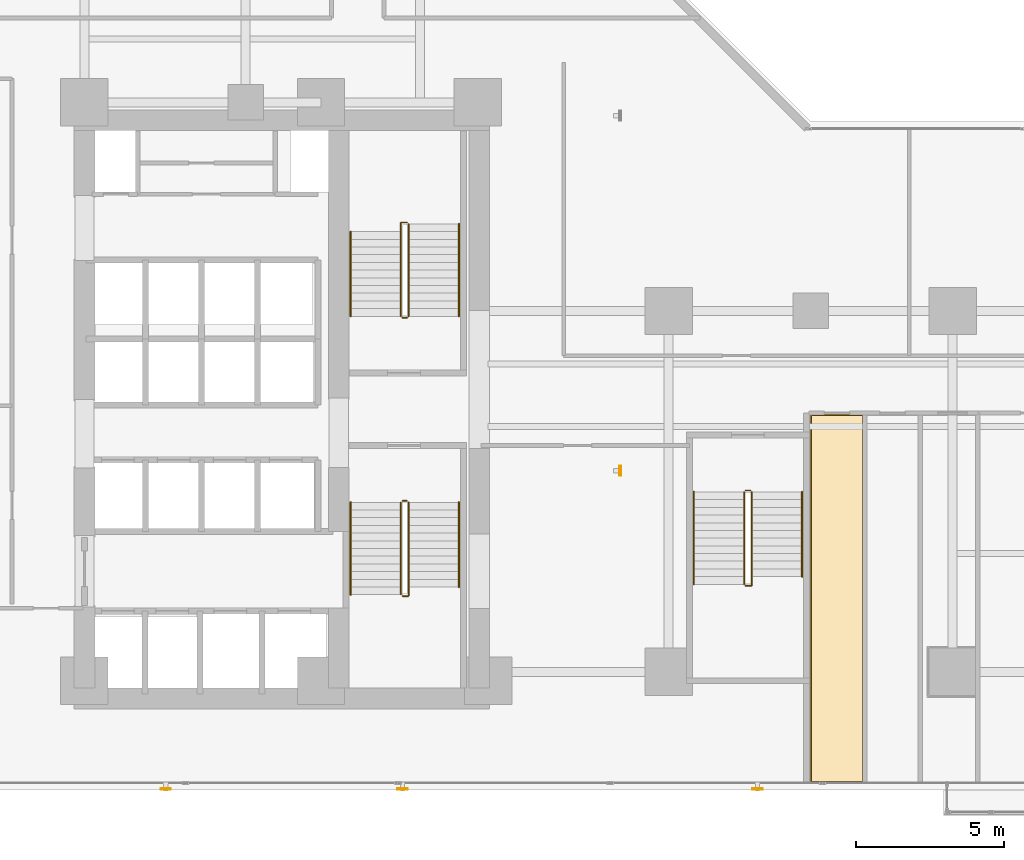
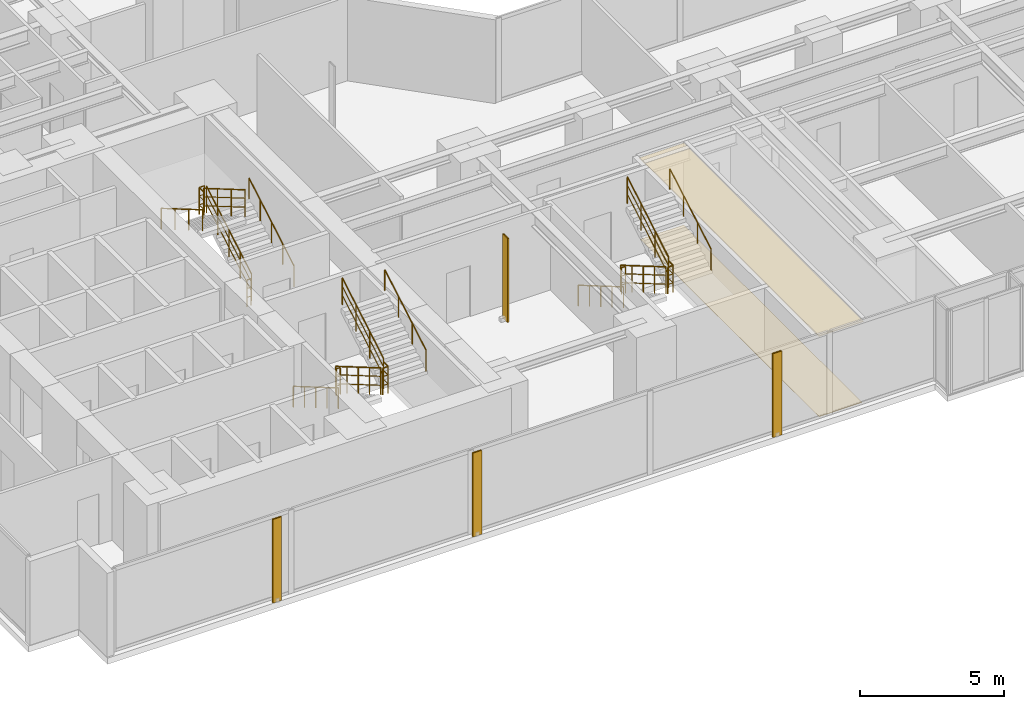
# One storey, part 26 of 28: 18 railings, 4 shading devices, 2 coverings.
"""IFC4 building model written with IfcOpenShell, lengths in metres."""

import ifcopenshell
import ifcopenshell.guid

model = None  # the IFC model being written
_history = None  # IfcOwnerHistory: only IFC2X3 demands one
_inside = {}  # id of a spatial element -> (the spatial element, [elements in it])
_under = {}  # id of a project, library or spatial element -> (it, [spatial elements below it])
_declared = {}  # id of a project -> (the project, [libraries it declares])
_typed = {}  # id of a type object -> (the type object, [elements of that type])
_made_of = {}  # id of a material, layer set ... -> (it, [elements and type objects made of it])


def new_model(schema):
    """Start an empty IFC model of exactly this schema.

    Asked for "IFC4X3", IfcOpenShell would pick the latest addendum, in which some entities
    have other attributes; the version numbers below select the first issue.
    IFC2X3 requires an IfcOwnerHistory on every rooted entity: one is made here for all.
    """
    global model, _history
    if schema == "IFC4X3":
        model = ifcopenshell.file(schema_version=(4, 3, 0, 0))
    else:
        model = ifcopenshell.file(schema=schema)
    _inside.clear()
    _under.clear()
    _declared.clear()
    _typed.clear()
    _made_of.clear()
    _history = None
    if model.schema == "IFC2X3":
        org = make("IfcOrganization", Name="unknown")
        user = make(
            "IfcPersonAndOrganization",
            ThePerson=make("IfcPerson", FamilyName="unknown"),
            TheOrganization=org,
        )
        app = make(
            "IfcApplication",
            ApplicationDeveloper=org,
            Version="unknown",
            ApplicationFullName="unknown",
            ApplicationIdentifier="unknown",
        )
        _history = make(
            "IfcOwnerHistory",
            OwningUser=user,
            OwningApplication=app,
            ChangeAction="ADDED",
            CreationDate=0,
        )
    return model


def make(cls, **values):
    """One entity of the class cls with the attributes given. An attribute that is None is left unset."""
    return model.create_entity(
        cls, **{name: value for name, value in values.items() if value is not None}
    )


def rooted(cls, **values):
    """An entity with a GlobalId (a new one), such as an element, a storey or a relation."""
    return make(cls, GlobalId=ifcopenshell.guid.new(), OwnerHistory=_history, **values)


def si_unit(unit_type, name, prefix=None):
    """IfcSIUnit, for example si_unit("LENGTHUNIT", "METRE", prefix="MILLI")."""
    return make("IfcSIUnit", UnitType=unit_type, Prefix=prefix, Name=name)


def assignment(units):
    """IfcUnitAssignment: the units of a project."""
    return None if units is None else make("IfcUnitAssignment", Units=units)


def point(xyz):
    """IfcCartesianPoint."""
    return None if xyz is None else make("IfcCartesianPoint", Coordinates=xyz)


def direction(xyz):
    """IfcDirection."""
    return None if xyz is None else make("IfcDirection", DirectionRatios=xyz)


def frame(location, z_axis=None, x_axis=None):
    """IfcAxis2Placement3D, a coordinate frame: its origin and axes. An axis left out is left unset."""
    return make(
        "IfcAxis2Placement3D",
        Location=point(location),
        Axis=direction(z_axis),
        RefDirection=direction(x_axis),
    )


def frame_2d(location, x_axis=None):
    """IfcAxis2Placement2D, a coordinate frame in the plane: its origin and x axis."""
    return make(
        "IfcAxis2Placement2D", Location=point(location), RefDirection=direction(x_axis)
    )


def origin():
    """The frame at (0, 0, 0) with its axes left unset."""
    return frame((0.0, 0.0, 0.0))


def origin_2d():
    """The frame at (0, 0) in the plane with its x axis left unset."""
    return frame_2d((0.0, 0.0))


def place(relative_to, where):
    """IfcLocalPlacement: puts the frame where relative to a parent placement (None: the world)."""
    return make(
        "IfcLocalPlacement", PlacementRelTo=relative_to, RelativePlacement=where
    )


def context(
    kind, dimensions, precision=None, world=None, true_north=None, identifier=None
):
    """IfcGeometricRepresentationContext, for example the 3D "Model" context."""
    return make(
        "IfcGeometricRepresentationContext",
        ContextIdentifier=identifier,
        ContextType=kind,
        CoordinateSpaceDimension=dimensions,
        Precision=precision,
        WorldCoordinateSystem=world,
        TrueNorth=true_north,
    )


def subcontext(parent, identifier, kind, view, scale=None):
    """IfcGeometricRepresentationSubContext, for example "Body" below "Model"."""
    return make(
        "IfcGeometricRepresentationSubContext",
        ContextIdentifier=identifier,
        ContextType=kind,
        ParentContext=parent,
        TargetScale=scale,
        TargetView=view,
    )


def project(units=None, contexts=None):
    """IfcProject with its units and contexts."""
    return rooted(
        "IfcProject",
        Name="project",
        RepresentationContexts=contexts,
        UnitsInContext=assignment(units),
    )


def spatial(cls, under=None, at=None, **own):
    """A site, building, storey or space (cls), placed at a placement, below another one or the project."""
    s = rooted(cls, ObjectPlacement=at, **own)
    if under is not None:
        _under.setdefault(under.id(), (under, []))[1].append(s)
    return s


def polyline(points):
    """IfcPolyline through the points."""
    return make("IfcPolyline", Points=[point(p) for p in points])


def profile(cls, at=None, kind="AREA", **sizes):
    """A parametric profile (cls). Its sizes go by their IFC names, for example OverallWidth=200.0."""
    return make(cls, ProfileType=kind, Position=at, **sizes)


def hollow_rectangle(**sizes):
    """IfcRectangleHollowProfileDef."""
    return profile("IfcRectangleHollowProfileDef", **sizes)


def circle(**sizes):
    """IfcCircleProfileDef."""
    return profile("IfcCircleProfileDef", **sizes)


def outline(outer, holes=None, kind="AREA"):
    """IfcArbitraryClosedProfileDef: a profile drawn as a closed curve; with holes, ...WithVoids."""
    if holes is None:
        return make("IfcArbitraryClosedProfileDef", ProfileType=kind, OuterCurve=outer)
    return make(
        "IfcArbitraryProfileDefWithVoids",
        ProfileType=kind,
        OuterCurve=outer,
        InnerCurves=holes,
    )


def extrude(swept, where, along, depth):
    """IfcExtrudedAreaSolid: the profile swept, set in the frame where, extruded along a direction by depth."""
    return make(
        "IfcExtrudedAreaSolid",
        SweptArea=swept,
        Position=where,
        ExtrudedDirection=direction(along),
        Depth=depth,
    )


def shape(context_of_items, identifier, shape_type, items):
    """IfcShapeRepresentation: the items that make up one representation, for example the "Body"."""
    return make(
        "IfcShapeRepresentation",
        ContextOfItems=context_of_items,
        RepresentationIdentifier=identifier,
        RepresentationType=shape_type,
        Items=items,
    )


def material(Name=None, Category=None):
    """IfcMaterial."""
    return make("IfcMaterial", Name=Name, Category=Category)


def layer(
    of_material, thickness, ventilated=None, Name=None, Category=None, Priority=None
):
    """IfcMaterialLayer: one layer of a wall or slab, of a material (None: an air gap)."""
    return make(
        "IfcMaterialLayer",
        Material=of_material,
        LayerThickness=thickness,
        IsVentilated=ventilated,
        Name=Name,
        Category=Category,
        Priority=Priority,
    )


def layer_set(layers, Name=None):
    """IfcMaterialLayerSet."""
    return make("IfcMaterialLayerSet", MaterialLayers=layers, LayerSetName=Name)


def material_profile(
    of_material, cross_section, Name=None, Category=None, Priority=None
):
    """IfcMaterialProfile: a cross section and its material."""
    return make(
        "IfcMaterialProfile",
        Name=Name,
        Material=of_material,
        Profile=cross_section,
        Priority=Priority,
        Category=Category,
    )


def profile_set(profiles, Name=None, composite=None):
    """IfcMaterialProfileSet."""
    return make(
        "IfcMaterialProfileSet",
        Name=Name,
        MaterialProfiles=profiles,
        CompositeProfile=composite,
    )


def made_of(thing, what):
    """Note that an element or type object is made of a material, layer set ...; save() writes the relation."""
    if what is not None:
        _made_of.setdefault(what.id(), (what, []))[1].append(thing)
    return thing


def type_object(cls, material=None, **own):
    """A type object (cls), such as IfcWallType, which elements share."""
    return made_of(rooted(cls, **own), material)


def element(
    cls,
    number,
    at=None,
    inside=None,
    cuts=None,
    type_object=None,
    material=None,
    context=None,
    identifier="Body",
    shape_type=None,
    held_by="IfcProductDefinitionShape",
    body=None,
    shapes=None,
    **own,
):
    """One element of the class cls, such as IfcWall. Its Tag is "e" and its number.

    at: its placement. inside: the storey or other place that contains it. cuts: it is an
    opening in that element (IfcRelVoidsElement). A single representation is given by context,
    identifier, shape_type and body (its items); several are given by shapes. held_by: the class
    of the entity that holds the representations. save() writes the other relations.
    """
    e = rooted(cls, Tag="e%d" % number, ObjectPlacement=at, **own)
    if body is not None:
        shapes = [shape(context, identifier, shape_type, body)]
    if shapes is not None:
        e.Representation = make(held_by, Representations=shapes)
    if inside is not None:
        _inside.setdefault(inside.id(), (inside, []))[1].append(e)
    if cuts is not None:
        rooted(
            "IfcRelVoidsElement", RelatingBuildingElement=cuts, RelatedOpeningElement=e
        )
    if type_object is not None:
        _typed.setdefault(type_object.id(), (type_object, []))[1].append(e)
    return made_of(e, material)


def aggregate(whole, parts):
    """IfcRelAggregates: a whole, such as a stair, and the parts it consists of."""
    return rooted("IfcRelAggregates", RelatingObject=whole, RelatedObjects=parts)


def save(model, path):
    """Write the relations noted so far, then the file.

    IfcRelAggregates (storeys below a building ...), IfcRelContainedInSpatialStructure (elements
    in a storey), IfcRelDefinesByType, IfcRelAssociatesMaterial and IfcRelDeclares: one each for
    every whole, place, type object, material and project.
    """
    for whole, parts in _under.values():
        aggregate(whole, parts)
    for where, things in _inside.values():
        rooted(
            "IfcRelContainedInSpatialStructure",
            RelatedElements=things,
            RelatingStructure=where,
        )
    for kind, things in _typed.values():
        rooted("IfcRelDefinesByType", RelatedObjects=things, RelatingType=kind)
    for what, things in _made_of.values():
        rooted("IfcRelAssociatesMaterial", RelatedObjects=things, RelatingMaterial=what)
    for by, libraries in _declared.values():
        rooted("IfcRelDeclares", RelatingContext=by, RelatedDefinitions=libraries)
    model.write(path)


model = new_model("IFC4")

# Units and contexts
model_context = context("Model", 3, precision=1e-05, world=origin(), true_north=direction((0.0, 1.0)))
body_context = subcontext(model_context, "Body", "Model", "MODEL_VIEW")
ifc_project = project(units=[si_unit("LENGTHUNIT", "METRE"), si_unit("AREAUNIT", "SQUARE_METRE"), si_unit("VOLUMEUNIT", "CUBIC_METRE"), si_unit("PLANEANGLEUNIT", "RADIAN"), si_unit("MASSUNIT", "GRAM", prefix="KILO")], contexts=[model_context])

# Site, building, storey
site_placement = place(None, origin())
site = spatial("IfcSite", under=ifc_project, at=site_placement, CompositionType="ELEMENT")
building_placement = place(site_placement, origin())
building = spatial("IfcBuilding", under=site, at=building_placement, Name="Kolvaren Waterfront Exchange", CompositionType="ELEMENT")
storey_placement = place(building_placement, frame((0.0, 0.0, 56.199951171875)))
storey = spatial("IfcBuildingStorey", under=building, at=storey_placement, Name="L14", CompositionType="ELEMENT", Elevation=56.199951171875)

# Covering
ifc_material_1 = material(Name="Mineral fibre acoustic ceiling tile")
ifc_layer_1 = layer(ifc_material_1, 0.02490234375, Name="Mineral fibre acoustic ceiling tile")
ifc_layer_set_1 = layer_set([ifc_layer_1], Name="Mineral fibre acoustic ceiling tile")
covering_type_1 = type_object("IfcCoveringType", Name="ARC-CEIL-ACOUSTIC-25", PredefinedType="CEILING", material=ifc_layer_set_1)
covering_1_placement = place(storey_placement, frame((0.0, 0.0, 3.425048828125)))
element("IfcCovering", 1, at=covering_1_placement, inside=storey, type_object=covering_type_1, Name="L14 acoustic suspended ceiling 1", PredefinedType="CEILING", context=body_context, shape_type="SweptSolid", body=[
    extrude(outline(polyline([(33.784912109375, 1.465087890625), (33.784912109375, 13.89501953125), (31.9951171875, 13.89501953125), (31.9951171875, 13.35009765625), (32.0, 13.35009765625), (32.0, 4.800048828125), (31.9951171875, 4.800048828125), (31.9951171875, 1.465087890625), (33.784912109375, 1.465087890625)])), origin(), (0.0, 0.0, 1.0), 0.02490234375),
])

# Shading devices
ifc_material_2 = material(Name="Anodised bronze aluminium 6063-T6", Category="aluminium")
ifc_material_profile = material_profile(ifc_material_2, hollow_rectangle(XDim=0.06005859375, YDim=0.35009765625, WallThickness=0.0048828125, at=origin_2d()), Name="BRZ-FIN-350x60x5")
ifc_profile_set = profile_set([ifc_material_profile], Name="Anodised bronze aluminium 6063-T6")
shading_device_type = type_object("IfcShadingDeviceType", Name="ARC-FIN-350", PredefinedType="USERDEFINED", material=ifc_profile_set)
for number, where, z_axis, x_axis, name in (
    (2, (10.199951171875, 1.239990234375, 0.0), (0.0, 0.0, 1.0), (0.0, -1.0, 0.0), "L14 anodised bronze solar shading fin FIN-L14-S1"),
    (3, (18.199951171875, 1.239990234375, 0.0), (0.0, 0.0, 1.0), (0.0, -1.0, 0.0), "L14 anodised bronze solar shading fin FIN-L14-S2"),
    (4, (30.199951171875, 1.239990234375, 0.0), (0.0, 0.0, 1.0), (0.0, -1.0, 0.0), "L14 anodised bronze solar shading fin FIN-L14-S3"),
    (5, (25.56005859375, 12.0, 0.0), (0.0, 0.0, 1.0), (1.0, 0.0, 0.0), "L14 anodised bronze solar shading fin FIN-L14-E1"),
):
    element("IfcShadingDevice", number, at=place(storey_placement, frame(where, z_axis=z_axis, x_axis=x_axis)), inside=storey, type_object=shading_device_type, Name=name, ObjectType="SOLAR FIN", PredefinedType="USERDEFINED", context=body_context, shape_type="SweptSolid", body=[
        extrude(hollow_rectangle(XDim=0.06005859375, YDim=0.35009765625, WallThickness=0.0048828125, at=origin_2d()), origin(), (0.0, 0.0, 1.0), 3.5400390625),
    ])

# Covering
ifc_material_3 = material(Name="Slip-resistant porcelain tile")
ifc_layer_2 = layer(ifc_material_3, 0.014892578125, Name="Slip-resistant porcelain tile")
ifc_layer_set_2 = layer_set([ifc_layer_2], Name="Slip-resistant porcelain tile")
covering_type_2 = type_object("IfcCoveringType", Name="ARC-FLR-PORC-15", PredefinedType="FLOORING", material=ifc_layer_set_2)
covering_2_placement = place(storey_placement, origin())
element("IfcCovering", 6, at=covering_2_placement, inside=storey, type_object=covering_type_2, Name="L14 floor finish 1", PredefinedType="FLOORING", context=body_context, shape_type="SweptSolid", body=[
    extrude(outline(polyline([(32.030029296875, 13.860107421875), (32.030029296875, 1.5), (33.75, 1.5), (33.75, 13.860107421875), (32.030029296875, 13.860107421875)])), origin(), (0.0, 0.0, 1.0), 0.01513671875),
])

# Railings
ifc_material_4 = material(Name="Stainless steel 316", Category="steel")
railing_type_1 = type_object("IfcRailingType", Name="ARC-GUARD-STAIR", PredefinedType="GUARDRAIL", material=ifc_material_4)
railing_1_placement = place(storey_placement, frame((18.14990234375, 10.929931640625, 0.152099609375)))
element("IfcRailing", 7, at=railing_1_placement, inside=storey, type_object=railing_type_1, Name="L14 ST1 stair guard 1", PredefinedType="GUARDRAIL", context=body_context, shape_type="SweptSolid", body=[
    extrude(circle(Radius=0.02392578125, at=origin_2d()), frame((0.0, 0.0, 1.1259765625), z_axis=(0.0, -0.86329090724, 0.504706656858), x_axis=(1.0, 0.0, 0.0)), (0.0, 0.0, 1.0), 3.614013671875),
    extrude(circle(Radius=0.01611328125, at=origin_2d()), frame((0.0, 0.0, 0.390869140625), z_axis=(0.0, -0.86329090724, 0.504706656858), x_axis=(1.0, 0.0, 0.0)), (0.0, 0.0, 1.0), 3.614013671875),
    extrude(circle(Radius=0.01611328125, at=origin_2d()), frame((0.0, 0.0, 0.7705078125), z_axis=(0.0, -0.86329090724, 0.504706656858), x_axis=(1.0, 0.0, 0.0)), (0.0, 0.0, 1.0), 3.614013671875),
    extrude(circle(Radius=0.02099609375, at=origin_2d()), origin(), (0.0, 0.0, 1.0), 1.101806640625),
    extrude(circle(Radius=0.02099609375, at=origin_2d()), frame((0.0, -0.780029296875, 0.4560546875)), (0.0, 0.0, 1.0), 1.101806640625),
    extrude(circle(Radius=0.02099609375, at=origin_2d()), frame((0.0, -1.56005859375, 0.912109375)), (0.0, 0.0, 1.0), 1.101806640625),
    extrude(circle(Radius=0.02099609375, at=origin_2d()), frame((0.0, -2.33984375, 1.367919921875)), (0.0, 0.0, 1.0), 1.101806640625),
    extrude(circle(Radius=0.02099609375, at=origin_2d()), frame((0.0, -3.119873046875, 1.823974609375)), (0.0, 0.0, 1.0), 1.101806640625),
])
railing_2_placement = place(storey_placement, frame((18.199951171875, 7.760009765625, 1.97607421875)))
element("IfcRailing", 8, at=railing_2_placement, inside=storey, type_object=railing_type_1, Name="L14 ST1 stair guard 2", PredefinedType="GUARDRAIL", context=body_context, shape_type="SweptSolid", body=[
    extrude(circle(Radius=0.02392578125, at=origin_2d()), frame((0.0, 0.0, 1.1259765625), z_axis=(1.0, 0.0, 0.0), x_axis=(0.0, 1.0, 0.0)), (0.0, 0.0, 1.0), 0.2099609375),
    extrude(circle(Radius=0.01611328125, at=origin_2d()), frame((0.0, 0.0, 0.390869140625), z_axis=(1.0, 0.0, 0.0), x_axis=(0.0, 1.0, 0.0)), (0.0, 0.0, 1.0), 0.2099609375),
    extrude(circle(Radius=0.01611328125, at=origin_2d()), frame((0.0, 0.0, 0.7705078125), z_axis=(1.0, 0.0, 0.0), x_axis=(0.0, 1.0, 0.0)), (0.0, 0.0, 1.0), 0.2099609375),
    extrude(circle(Radius=0.02392578125, at=origin_2d()), frame((0.2099609375, 0.0, 1.1259765625), z_axis=(0.0, 1.0, 0.0), x_axis=(-1.0, 0.0, 0.0)), (0.0, 0.0, 1.0), 0.31005859375),
    extrude(circle(Radius=0.01611328125, at=origin_2d()), frame((0.2099609375, 0.0, 0.390869140625), z_axis=(0.0, 1.0, 0.0), x_axis=(-1.0, 0.0, 0.0)), (0.0, 0.0, 1.0), 0.31005859375),
    extrude(circle(Radius=0.01611328125, at=origin_2d()), frame((0.2099609375, 0.0, 0.7705078125), z_axis=(0.0, 1.0, 0.0), x_axis=(-1.0, 0.0, 0.0)), (0.0, 0.0, 1.0), 0.31005859375),
    extrude(circle(Radius=0.02099609375, at=origin_2d()), origin(), (0.0, 0.0, 1.0), 1.101806640625),
    extrude(circle(Radius=0.02099609375, at=origin_2d()), frame((0.2099609375, 0.0, 0.0)), (0.0, 0.0, 1.0), 1.101806640625),
    extrude(circle(Radius=0.02099609375, at=origin_2d()), frame((0.2099609375, 0.31005859375, 0.0)), (0.0, 0.0, 1.0), 1.101806640625),
])
railing_3_placement = place(storey_placement, frame((18.409912109375, 8.070068359375, 2.1279296875)))
element("IfcRailing", 9, at=railing_3_placement, inside=storey, type_object=railing_type_1, Name="L14 ST1 stair guard 3", PredefinedType="GUARDRAIL", context=body_context, shape_type="SweptSolid", body=[
    extrude(circle(Radius=0.02392578125, at=origin_2d()), frame((0.0, 0.0, 1.1259765625), z_axis=(0.0, 0.863270611444, 0.50474137082), x_axis=(-1.0, 0.0, 0.0)), (0.0, 0.0, 1.0), 3.312744140625),
    extrude(circle(Radius=0.01611328125, at=origin_2d()), frame((0.0, 0.0, 0.390869140625), z_axis=(0.0, 0.863270611444, 0.50474137082), x_axis=(-1.0, 0.0, 0.0)), (0.0, 0.0, 1.0), 3.312744140625),
    extrude(circle(Radius=0.01611328125, at=origin_2d()), frame((0.0, 0.0, 0.7705078125), z_axis=(0.0, 0.863270611444, 0.50474137082), x_axis=(-1.0, 0.0, 0.0)), (0.0, 0.0, 1.0), 3.312744140625),
    extrude(circle(Radius=0.02099609375, at=origin_2d()), origin(), (0.0, 0.0, 1.0), 1.101806640625),
    extrude(circle(Radius=0.02099609375, at=origin_2d()), frame((0.0, 0.953369140625, 0.557373046875)), (0.0, 0.0, 1.0), 1.101806640625),
    extrude(circle(Radius=0.02099609375, at=origin_2d()), frame((0.0, 1.906494140625, 1.11474609375)), (0.0, 0.0, 1.0), 1.101806640625),
    extrude(circle(Radius=0.02099609375, at=origin_2d()), frame((0.0, 2.85986328125, 1.672119140625)), (0.0, 0.0, 1.0), 1.101806640625),
])
railing_4_placement = place(storey_placement, frame((18.199951171875, 10.97998046875, 0.0)))
element("IfcRailing", 10, at=railing_4_placement, inside=storey, type_object=railing_type_1, Name="L14 ST1 stair guard 4", PredefinedType="GUARDRAIL", context=body_context, shape_type="SweptSolid", body=[
    extrude(circle(Radius=0.02392578125, at=origin_2d()), frame((0.0, 0.0, 1.1259765625), z_axis=(1.0, 0.0, 0.0), x_axis=(0.0, 1.0, 0.0)), (0.0, 0.0, 1.0), 0.16015625),
    extrude(circle(Radius=0.01611328125, at=origin_2d()), frame((0.0, 0.0, 0.390869140625), z_axis=(1.0, 0.0, 0.0), x_axis=(0.0, 1.0, 0.0)), (0.0, 0.0, 1.0), 0.16015625),
    extrude(circle(Radius=0.01611328125, at=origin_2d()), frame((0.0, 0.0, 0.7705078125), z_axis=(1.0, 0.0, 0.0), x_axis=(0.0, 1.0, 0.0)), (0.0, 0.0, 1.0), 0.16015625),
    extrude(circle(Radius=0.02099609375, at=origin_2d()), origin(), (0.0, 0.0, 1.0), 1.101806640625),
    extrude(circle(Radius=0.02099609375, at=origin_2d()), frame((0.16015625, 0.0, 0.0)), (0.0, 0.0, 1.0), 1.101806640625),
])
railing_5_placement = place(storey_placement, frame((18.409912109375, 17.219970703125, 0.152099609375)))
element("IfcRailing", 11, at=railing_5_placement, inside=storey, type_object=railing_type_1, Name="L14 ST2 stair guard 1", PredefinedType="GUARDRAIL", context=body_context, shape_type="SweptSolid", body=[
    extrude(circle(Radius=0.02392578125, at=origin_2d()), frame((0.0, 0.0, 1.1259765625), z_axis=(0.0, 0.86330811405, 0.504677223793), x_axis=(-1.0, 0.0, 0.0)), (0.0, 0.0, 1.0), 3.6142578125),
    extrude(circle(Radius=0.01611328125, at=origin_2d()), frame((0.0, 0.0, 0.390869140625), z_axis=(0.0, 0.86330811405, 0.504677223793), x_axis=(-1.0, 0.0, 0.0)), (0.0, 0.0, 1.0), 3.6142578125),
    extrude(circle(Radius=0.01611328125, at=origin_2d()), frame((0.0, 0.0, 0.7705078125), z_axis=(0.0, 0.86330811405, 0.504677223793), x_axis=(-1.0, 0.0, 0.0)), (0.0, 0.0, 1.0), 3.6142578125),
    extrude(circle(Radius=0.02099609375, at=origin_2d()), origin(), (0.0, 0.0, 1.0), 1.101806640625),
    extrude(circle(Radius=0.02099609375, at=origin_2d()), frame((0.0, 0.780029296875, 0.4560546875)), (0.0, 0.0, 1.0), 1.101806640625),
    extrude(circle(Radius=0.02099609375, at=origin_2d()), frame((0.0, 1.56005859375, 0.912109375)), (0.0, 0.0, 1.0), 1.101806640625),
    extrude(circle(Radius=0.02099609375, at=origin_2d()), frame((0.0, 2.340087890625, 1.367919921875)), (0.0, 0.0, 1.0), 1.101806640625),
    extrude(circle(Radius=0.02099609375, at=origin_2d()), frame((0.0, 3.1201171875, 1.823974609375)), (0.0, 0.0, 1.0), 1.101806640625),
])
railing_6_placement = place(storey_placement, frame((18.360107421875, 20.389892578125, 1.97607421875)))
element("IfcRailing", 12, at=railing_6_placement, inside=storey, type_object=railing_type_1, Name="L14 ST2 stair guard 2", PredefinedType="GUARDRAIL", context=body_context, shape_type="SweptSolid", body=[
    extrude(circle(Radius=0.02392578125, at=origin_2d()), frame((0.0, 0.0, 1.1259765625), z_axis=(-1.0, 0.0, 0.0), x_axis=(0.0, -1.0, 0.0)), (0.0, 0.0, 1.0), 0.210205078125),
    extrude(circle(Radius=0.01611328125, at=origin_2d()), frame((0.0, 0.0, 0.390869140625), z_axis=(-1.0, 0.0, 0.0), x_axis=(0.0, -1.0, 0.0)), (0.0, 0.0, 1.0), 0.210205078125),
    extrude(circle(Radius=0.01611328125, at=origin_2d()), frame((0.0, 0.0, 0.7705078125), z_axis=(-1.0, 0.0, 0.0), x_axis=(0.0, -1.0, 0.0)), (0.0, 0.0, 1.0), 0.210205078125),
    extrude(circle(Radius=0.02392578125, at=origin_2d()), frame((-0.210205078125, 0.0, 1.1259765625), z_axis=(0.0, -1.0, 0.0), x_axis=(1.0, 0.0, 0.0)), (0.0, 0.0, 1.0), 0.309814453125),
    extrude(circle(Radius=0.01611328125, at=origin_2d()), frame((-0.210205078125, 0.0, 0.390869140625), z_axis=(0.0, -1.0, 0.0), x_axis=(1.0, 0.0, 0.0)), (0.0, 0.0, 1.0), 0.309814453125),
    extrude(circle(Radius=0.01611328125, at=origin_2d()), frame((-0.210205078125, 0.0, 0.7705078125), z_axis=(0.0, -1.0, 0.0), x_axis=(1.0, 0.0, 0.0)), (0.0, 0.0, 1.0), 0.309814453125),
    extrude(circle(Radius=0.02099609375, at=origin_2d()), origin(), (0.0, 0.0, 1.0), 1.101806640625),
    extrude(circle(Radius=0.02099609375, at=origin_2d()), frame((-0.210205078125, 0.0, 0.0)), (0.0, 0.0, 1.0), 1.101806640625),
    extrude(circle(Radius=0.02099609375, at=origin_2d()), frame((-0.210205078125, -0.309814453125, 0.0)), (0.0, 0.0, 1.0), 1.101806640625),
])
railing_7_placement = place(storey_placement, frame((18.14990234375, 20.080078125, 2.1279296875)))
element("IfcRailing", 13, at=railing_7_placement, inside=storey, type_object=railing_type_1, Name="L14 ST2 stair guard 3", PredefinedType="GUARDRAIL", context=body_context, shape_type="SweptSolid", body=[
    extrude(circle(Radius=0.02392578125, at=origin_2d()), frame((0.0, 0.0, 1.1259765625), z_axis=(0.0, -0.863289384635, 0.504709261235), x_axis=(1.0, 0.0, 0.0)), (0.0, 0.0, 1.0), 3.31298828125),
    extrude(circle(Radius=0.01611328125, at=origin_2d()), frame((0.0, 0.0, 0.390869140625), z_axis=(0.0, -0.863289384635, 0.504709261235), x_axis=(1.0, 0.0, 0.0)), (0.0, 0.0, 1.0), 3.31298828125),
    extrude(circle(Radius=0.01611328125, at=origin_2d()), frame((0.0, 0.0, 0.7705078125), z_axis=(0.0, -0.863289384635, 0.504709261235), x_axis=(1.0, 0.0, 0.0)), (0.0, 0.0, 1.0), 3.31298828125),
    extrude(circle(Radius=0.02099609375, at=origin_2d()), origin(), (0.0, 0.0, 1.0), 1.101806640625),
    extrude(circle(Radius=0.02099609375, at=origin_2d()), frame((0.0, -0.953369140625, 0.557373046875)), (0.0, 0.0, 1.0), 1.101806640625),
    extrude(circle(Radius=0.02099609375, at=origin_2d()), frame((0.0, -1.90673828125, 1.11474609375)), (0.0, 0.0, 1.0), 1.101806640625),
    extrude(circle(Radius=0.02099609375, at=origin_2d()), frame((0.0, -2.860107421875, 1.672119140625)), (0.0, 0.0, 1.0), 1.101806640625),
])
railing_8_placement = place(storey_placement, frame((18.360107421875, 17.169921875, 0.0)))
element("IfcRailing", 14, at=railing_8_placement, inside=storey, type_object=railing_type_1, Name="L14 ST2 stair guard 4", PredefinedType="GUARDRAIL", context=body_context, shape_type="SweptSolid", body=[
    extrude(circle(Radius=0.02392578125, at=origin_2d()), frame((0.0, 0.0, 1.1259765625), z_axis=(-1.0, 0.0, 0.0), x_axis=(0.0, -1.0, 0.0)), (0.0, 0.0, 1.0), 0.16015625),
    extrude(circle(Radius=0.01611328125, at=origin_2d()), frame((0.0, 0.0, 0.390869140625), z_axis=(-1.0, 0.0, 0.0), x_axis=(0.0, -1.0, 0.0)), (0.0, 0.0, 1.0), 0.16015625),
    extrude(circle(Radius=0.01611328125, at=origin_2d()), frame((0.0, 0.0, 0.7705078125), z_axis=(-1.0, 0.0, 0.0), x_axis=(0.0, -1.0, 0.0)), (0.0, 0.0, 1.0), 0.16015625),
    extrude(circle(Radius=0.02099609375, at=origin_2d()), origin(), (0.0, 0.0, 1.0), 1.101806640625),
    extrude(circle(Radius=0.02099609375, at=origin_2d()), frame((-0.16015625, 0.0, 0.0)), (0.0, 0.0, 1.0), 1.101806640625),
])
railing_9_placement = place(storey_placement, frame((29.75, 11.280029296875, 0.152099609375)))
element("IfcRailing", 15, at=railing_9_placement, inside=storey, type_object=railing_type_1, Name="L14 ST3 stair guard 1", PredefinedType="GUARDRAIL", context=body_context, shape_type="SweptSolid", body=[
    extrude(circle(Radius=0.02392578125, at=origin_2d()), frame((0.0, 0.0, 1.1259765625), z_axis=(0.0, -0.86330811405, 0.504677223793), x_axis=(1.0, 0.0, 0.0)), (0.0, 0.0, 1.0), 3.6142578125),
    extrude(circle(Radius=0.01611328125, at=origin_2d()), frame((0.0, 0.0, 0.390869140625), z_axis=(0.0, -0.86330811405, 0.504677223793), x_axis=(1.0, 0.0, 0.0)), (0.0, 0.0, 1.0), 3.6142578125),
    extrude(circle(Radius=0.01611328125, at=origin_2d()), frame((0.0, 0.0, 0.7705078125), z_axis=(0.0, -0.86330811405, 0.504677223793), x_axis=(1.0, 0.0, 0.0)), (0.0, 0.0, 1.0), 3.6142578125),
    extrude(circle(Radius=0.02099609375, at=origin_2d()), origin(), (0.0, 0.0, 1.0), 1.101806640625),
    extrude(circle(Radius=0.02099609375, at=origin_2d()), frame((0.0, -0.780029296875, 0.4560546875)), (0.0, 0.0, 1.0), 1.101806640625),
    extrude(circle(Radius=0.02099609375, at=origin_2d()), frame((0.0, -1.56005859375, 0.912109375)), (0.0, 0.0, 1.0), 1.101806640625),
    extrude(circle(Radius=0.02099609375, at=origin_2d()), frame((0.0, -2.340087890625, 1.367919921875)), (0.0, 0.0, 1.0), 1.101806640625),
    extrude(circle(Radius=0.02099609375, at=origin_2d()), frame((0.0, -3.1201171875, 1.823974609375)), (0.0, 0.0, 1.0), 1.101806640625),
])
railing_10_placement = place(storey_placement, frame((29.800048828125, 8.110107421875, 1.97607421875)))
element("IfcRailing", 16, at=railing_10_placement, inside=storey, type_object=railing_type_1, Name="L14 ST3 stair guard 2", PredefinedType="GUARDRAIL", context=body_context, shape_type="SweptSolid", body=[
    extrude(circle(Radius=0.02392578125, at=origin_2d()), frame((0.0, 0.0, 1.1259765625), z_axis=(1.0, 0.0, 0.0), x_axis=(0.0, 1.0, 0.0)), (0.0, 0.0, 1.0), 0.2099609375),
    extrude(circle(Radius=0.01611328125, at=origin_2d()), frame((0.0, 0.0, 0.390869140625), z_axis=(1.0, 0.0, 0.0), x_axis=(0.0, 1.0, 0.0)), (0.0, 0.0, 1.0), 0.2099609375),
    extrude(circle(Radius=0.01611328125, at=origin_2d()), frame((0.0, 0.0, 0.7705078125), z_axis=(1.0, 0.0, 0.0), x_axis=(0.0, 1.0, 0.0)), (0.0, 0.0, 1.0), 0.2099609375),
    extrude(circle(Radius=0.02392578125, at=origin_2d()), frame((0.2099609375, 0.0, 1.1259765625), z_axis=(0.0, 1.0, 0.0), x_axis=(-1.0, 0.0, 0.0)), (0.0, 0.0, 1.0), 0.309814453125),
    extrude(circle(Radius=0.01611328125, at=origin_2d()), frame((0.2099609375, 0.0, 0.390869140625), z_axis=(0.0, 1.0, 0.0), x_axis=(-1.0, 0.0, 0.0)), (0.0, 0.0, 1.0), 0.309814453125),
    extrude(circle(Radius=0.01611328125, at=origin_2d()), frame((0.2099609375, 0.0, 0.7705078125), z_axis=(0.0, 1.0, 0.0), x_axis=(-1.0, 0.0, 0.0)), (0.0, 0.0, 1.0), 0.309814453125),
    extrude(circle(Radius=0.02099609375, at=origin_2d()), origin(), (0.0, 0.0, 1.0), 1.101806640625),
    extrude(circle(Radius=0.02099609375, at=origin_2d()), frame((0.2099609375, 0.0, 0.0)), (0.0, 0.0, 1.0), 1.101806640625),
    extrude(circle(Radius=0.02099609375, at=origin_2d()), frame((0.2099609375, 0.309814453125, 0.0)), (0.0, 0.0, 1.0), 1.101806640625),
])
railing_11_placement = place(storey_placement, frame((30.010009765625, 8.419921875, 2.1279296875)))
element("IfcRailing", 17, at=railing_11_placement, inside=storey, type_object=railing_type_1, Name="L14 ST3 stair guard 3", PredefinedType="GUARDRAIL", context=body_context, shape_type="SweptSolid", body=[
    extrude(circle(Radius=0.02392578125, at=origin_2d()), frame((0.0, 0.0, 1.1259765625), z_axis=(0.0, 0.863289384635, 0.504709261235), x_axis=(-1.0, 0.0, 0.0)), (0.0, 0.0, 1.0), 3.31298828125),
    extrude(circle(Radius=0.01611328125, at=origin_2d()), frame((0.0, 0.0, 0.390869140625), z_axis=(0.0, 0.863289384635, 0.504709261235), x_axis=(-1.0, 0.0, 0.0)), (0.0, 0.0, 1.0), 3.31298828125),
    extrude(circle(Radius=0.01611328125, at=origin_2d()), frame((0.0, 0.0, 0.7705078125), z_axis=(0.0, 0.863289384635, 0.504709261235), x_axis=(-1.0, 0.0, 0.0)), (0.0, 0.0, 1.0), 3.31298828125),
    extrude(circle(Radius=0.02099609375, at=origin_2d()), origin(), (0.0, 0.0, 1.0), 1.101806640625),
    extrude(circle(Radius=0.02099609375, at=origin_2d()), frame((0.0, 0.953369140625, 0.557373046875)), (0.0, 0.0, 1.0), 1.101806640625),
    extrude(circle(Radius=0.02099609375, at=origin_2d()), frame((0.0, 1.90673828125, 1.11474609375)), (0.0, 0.0, 1.0), 1.101806640625),
    extrude(circle(Radius=0.02099609375, at=origin_2d()), frame((0.0, 2.860107421875, 1.672119140625)), (0.0, 0.0, 1.0), 1.101806640625),
])
railing_12_placement = place(storey_placement, frame((29.800048828125, 11.330078125, 0.0)))
element("IfcRailing", 18, at=railing_12_placement, inside=storey, type_object=railing_type_1, Name="L14 ST3 stair guard 4", PredefinedType="GUARDRAIL", context=body_context, shape_type="SweptSolid", body=[
    extrude(circle(Radius=0.02392578125, at=origin_2d()), frame((0.0, 0.0, 1.1259765625), z_axis=(1.0, 0.0, 0.0), x_axis=(0.0, 1.0, 0.0)), (0.0, 0.0, 1.0), 0.159912109375),
    extrude(circle(Radius=0.01611328125, at=origin_2d()), frame((0.0, 0.0, 0.390869140625), z_axis=(1.0, 0.0, 0.0), x_axis=(0.0, 1.0, 0.0)), (0.0, 0.0, 1.0), 0.159912109375),
    extrude(circle(Radius=0.01611328125, at=origin_2d()), frame((0.0, 0.0, 0.7705078125), z_axis=(1.0, 0.0, 0.0), x_axis=(0.0, 1.0, 0.0)), (0.0, 0.0, 1.0), 0.159912109375),
    extrude(circle(Radius=0.02099609375, at=origin_2d()), origin(), (0.0, 0.0, 1.0), 1.101806640625),
    extrude(circle(Radius=0.02099609375, at=origin_2d()), frame((0.159912109375, 0.0, 0.0)), (0.0, 0.0, 1.0), 1.101806640625),
])
railing_type_2 = type_object("IfcRailingType", Name="ARC-HANDRAIL-900", PredefinedType="HANDRAIL", material=ifc_material_4)
railing_13_placement = place(storey_placement, frame((16.449951171875, 10.929931640625, 0.152099609375)))
element("IfcRailing", 19, at=railing_13_placement, inside=storey, type_object=railing_type_2, Name="L14 ST1 stair handrail 1", PredefinedType="HANDRAIL", context=body_context, shape_type="SweptSolid", body=[
    extrude(circle(Radius=0.02392578125, at=origin_2d()), frame((0.0, 0.0, 0.8759765625), z_axis=(0.0, -0.86329090724, 0.504706656858), x_axis=(1.0, 0.0, 0.0)), (0.0, 0.0, 1.0), 3.614013671875),
    extrude(circle(Radius=0.02099609375, at=origin_2d()), origin(), (0.0, 0.0, 1.0), 0.851806640625),
    extrude(circle(Radius=0.02099609375, at=origin_2d()), frame((0.0, -0.780029296875, 0.4560546875)), (0.0, 0.0, 1.0), 0.851806640625),
    extrude(circle(Radius=0.02099609375, at=origin_2d()), frame((0.0, -1.56005859375, 0.912109375)), (0.0, 0.0, 1.0), 0.851806640625),
    extrude(circle(Radius=0.02099609375, at=origin_2d()), frame((0.0, -2.33984375, 1.367919921875)), (0.0, 0.0, 1.0), 0.851806640625),
    extrude(circle(Radius=0.02099609375, at=origin_2d()), frame((0.0, -3.119873046875, 1.823974609375)), (0.0, 0.0, 1.0), 0.851806640625),
])
railing_14_placement = place(storey_placement, frame((20.110107421875, 8.070068359375, 2.1279296875)))
element("IfcRailing", 20, at=railing_14_placement, inside=storey, type_object=railing_type_2, Name="L14 ST1 stair handrail 2", PredefinedType="HANDRAIL", context=body_context, shape_type="SweptSolid", body=[
    extrude(circle(Radius=0.02392578125, at=origin_2d()), frame((0.0, 0.0, 0.8759765625), z_axis=(0.0, 0.863270611444, 0.50474137082), x_axis=(-1.0, 0.0, 0.0)), (0.0, 0.0, 1.0), 3.312744140625),
    extrude(circle(Radius=0.02099609375, at=origin_2d()), origin(), (0.0, 0.0, 1.0), 0.851806640625),
    extrude(circle(Radius=0.02099609375, at=origin_2d()), frame((0.0, 0.953369140625, 0.557373046875)), (0.0, 0.0, 1.0), 0.851806640625),
    extrude(circle(Radius=0.02099609375, at=origin_2d()), frame((0.0, 1.906494140625, 1.11474609375)), (0.0, 0.0, 1.0), 0.851806640625),
    extrude(circle(Radius=0.02099609375, at=origin_2d()), frame((0.0, 2.85986328125, 1.672119140625)), (0.0, 0.0, 1.0), 0.851806640625),
])
railing_15_placement = place(storey_placement, frame((20.110107421875, 17.219970703125, 0.152099609375)))
element("IfcRailing", 21, at=railing_15_placement, inside=storey, type_object=railing_type_2, Name="L14 ST2 stair handrail 1", PredefinedType="HANDRAIL", context=body_context, shape_type="SweptSolid", body=[
    extrude(circle(Radius=0.02392578125, at=origin_2d()), frame((0.0, 0.0, 0.8759765625), z_axis=(0.0, 0.86330811405, 0.504677223793), x_axis=(-1.0, 0.0, 0.0)), (0.0, 0.0, 1.0), 3.6142578125),
    extrude(circle(Radius=0.02099609375, at=origin_2d()), origin(), (0.0, 0.0, 1.0), 0.851806640625),
    extrude(circle(Radius=0.02099609375, at=origin_2d()), frame((0.0, 0.780029296875, 0.4560546875)), (0.0, 0.0, 1.0), 0.851806640625),
    extrude(circle(Radius=0.02099609375, at=origin_2d()), frame((0.0, 1.56005859375, 0.912109375)), (0.0, 0.0, 1.0), 0.851806640625),
    extrude(circle(Radius=0.02099609375, at=origin_2d()), frame((0.0, 2.340087890625, 1.367919921875)), (0.0, 0.0, 1.0), 0.851806640625),
    extrude(circle(Radius=0.02099609375, at=origin_2d()), frame((0.0, 3.1201171875, 1.823974609375)), (0.0, 0.0, 1.0), 0.851806640625),
])
railing_16_placement = place(storey_placement, frame((16.449951171875, 20.080078125, 2.1279296875)))
element("IfcRailing", 22, at=railing_16_placement, inside=storey, type_object=railing_type_2, Name="L14 ST2 stair handrail 2", PredefinedType="HANDRAIL", context=body_context, shape_type="SweptSolid", body=[
    extrude(circle(Radius=0.02392578125, at=origin_2d()), frame((0.0, 0.0, 0.8759765625), z_axis=(0.0, -0.863289384635, 0.504709261235), x_axis=(1.0, 0.0, 0.0)), (0.0, 0.0, 1.0), 3.31298828125),
    extrude(circle(Radius=0.02099609375, at=origin_2d()), origin(), (0.0, 0.0, 1.0), 0.851806640625),
    extrude(circle(Radius=0.02099609375, at=origin_2d()), frame((0.0, -0.953369140625, 0.557373046875)), (0.0, 0.0, 1.0), 0.851806640625),
    extrude(circle(Radius=0.02099609375, at=origin_2d()), frame((0.0, -1.90673828125, 1.11474609375)), (0.0, 0.0, 1.0), 0.851806640625),
    extrude(circle(Radius=0.02099609375, at=origin_2d()), frame((0.0, -2.860107421875, 1.672119140625)), (0.0, 0.0, 1.0), 0.851806640625),
])
railing_17_placement = place(storey_placement, frame((28.050048828125, 11.280029296875, 0.152099609375)))
element("IfcRailing", 23, at=railing_17_placement, inside=storey, type_object=railing_type_2, Name="L14 ST3 stair handrail 1", PredefinedType="HANDRAIL", context=body_context, shape_type="SweptSolid", body=[
    extrude(circle(Radius=0.02392578125, at=origin_2d()), frame((0.0, 0.0, 0.8759765625), z_axis=(0.0, -0.86330811405, 0.504677223793), x_axis=(1.0, 0.0, 0.0)), (0.0, 0.0, 1.0), 3.6142578125),
    extrude(circle(Radius=0.02099609375, at=origin_2d()), origin(), (0.0, 0.0, 1.0), 0.851806640625),
    extrude(circle(Radius=0.02099609375, at=origin_2d()), frame((0.0, -0.780029296875, 0.4560546875)), (0.0, 0.0, 1.0), 0.851806640625),
    extrude(circle(Radius=0.02099609375, at=origin_2d()), frame((0.0, -1.56005859375, 0.912109375)), (0.0, 0.0, 1.0), 0.851806640625),
    extrude(circle(Radius=0.02099609375, at=origin_2d()), frame((0.0, -2.340087890625, 1.367919921875)), (0.0, 0.0, 1.0), 0.851806640625),
    extrude(circle(Radius=0.02099609375, at=origin_2d()), frame((0.0, -3.1201171875, 1.823974609375)), (0.0, 0.0, 1.0), 0.851806640625),
])
railing_18_placement = place(storey_placement, frame((31.7099609375, 8.419921875, 2.1279296875)))
element("IfcRailing", 24, at=railing_18_placement, inside=storey, type_object=railing_type_2, Name="L14 ST3 stair handrail 2", PredefinedType="HANDRAIL", context=body_context, shape_type="SweptSolid", body=[
    extrude(circle(Radius=0.02392578125, at=origin_2d()), frame((0.0, 0.0, 0.8759765625), z_axis=(0.0, 0.863289384635, 0.504709261235), x_axis=(-1.0, 0.0, 0.0)), (0.0, 0.0, 1.0), 3.31298828125),
    extrude(circle(Radius=0.02099609375, at=origin_2d()), origin(), (0.0, 0.0, 1.0), 0.851806640625),
    extrude(circle(Radius=0.02099609375, at=origin_2d()), frame((0.0, 0.953369140625, 0.557373046875)), (0.0, 0.0, 1.0), 0.851806640625),
    extrude(circle(Radius=0.02099609375, at=origin_2d()), frame((0.0, 1.90673828125, 1.11474609375)), (0.0, 0.0, 1.0), 0.851806640625),
    extrude(circle(Radius=0.02099609375, at=origin_2d()), frame((0.0, 2.860107421875, 1.672119140625)), (0.0, 0.0, 1.0), 0.851806640625),
])

save(model, "model.ifc")
